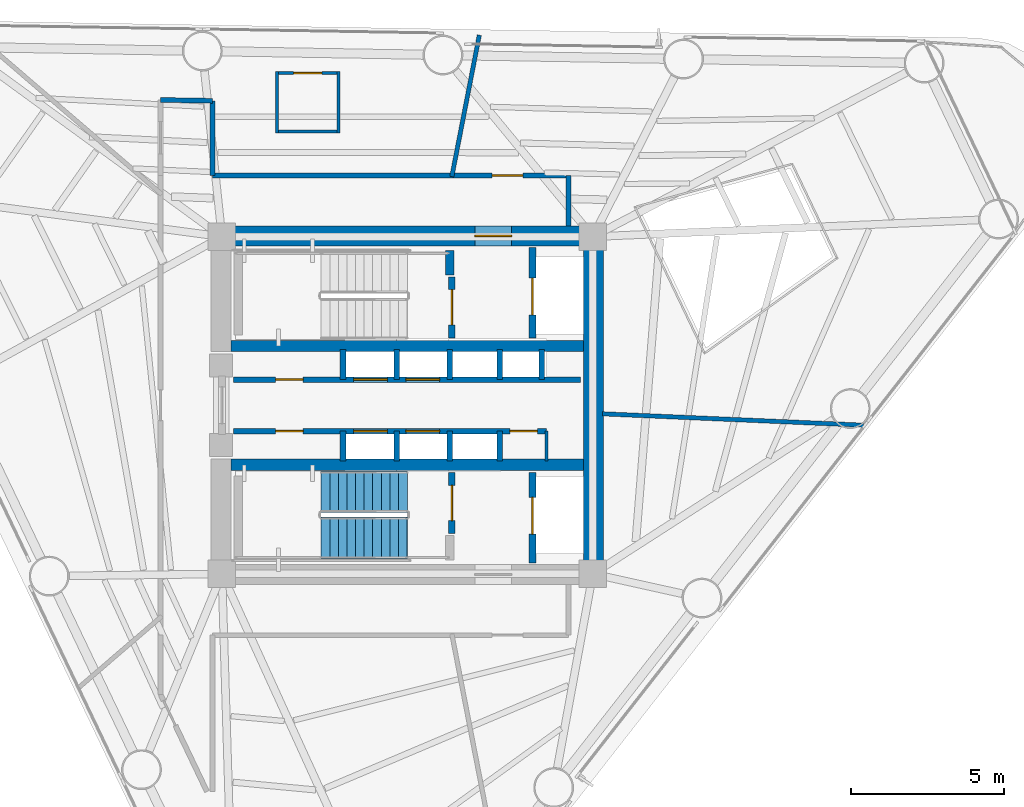
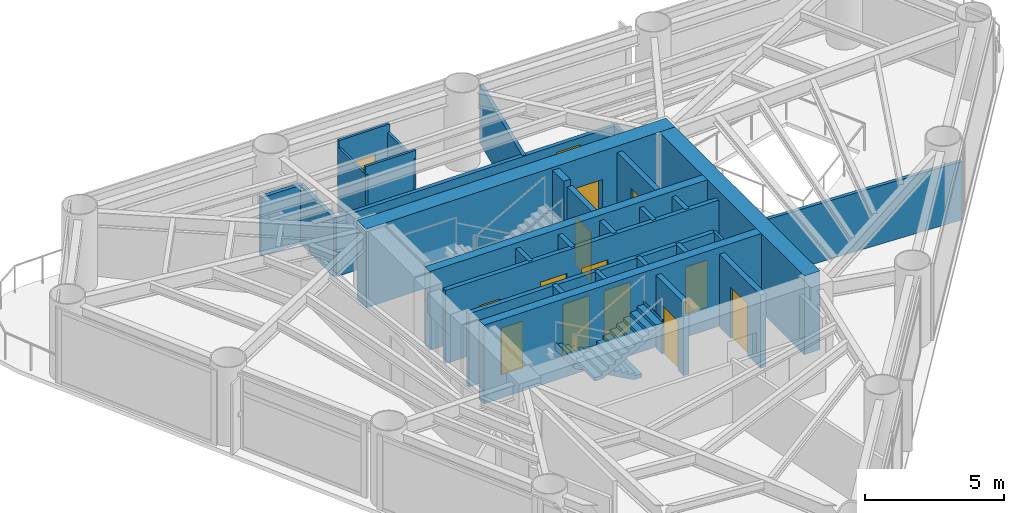
# One storey, part 7 of 11: 31 walls, 14 doors, 2 stair flights, 14 openings, 1 element without a shape of its own.
"""IFC4 building model written with IfcOpenShell, lengths in metres."""

from ifc_helpers import new_model, si_unit, direction, frame, frame_2d, origin, place, context, subcontext, project, spatial, polyline, rectangle, outline, extrude, material, layer, layer_set, type_object, element, fill, aggregate, save


model = new_model("IFC4")

# Units and contexts
model_context = context("Model", 3, precision=1e-05, world=origin(), true_north=direction((0.0, 1.0)))
body_context = subcontext(model_context, "Body", "Model", "MODEL_VIEW")
ifc_project = project(units=[si_unit("LENGTHUNIT", "METRE"), si_unit("AREAUNIT", "SQUARE_METRE"), si_unit("VOLUMEUNIT", "CUBIC_METRE"), si_unit("PLANEANGLEUNIT", "RADIAN"), si_unit("MASSUNIT", "GRAM", prefix="KILO")], contexts=[model_context])

# Site, building, storey
site_placement = place(None, origin())
site = spatial("IfcSite", under=ifc_project, at=site_placement, CompositionType="ELEMENT")
building_placement = place(site_placement, origin())
building = spatial("IfcBuilding", under=site, at=building_placement, Name="Yunling Apex Tower", CompositionType="ELEMENT")
storey_placement = place(building_placement, frame((0.0, 0.0, 150.199951171875)))
storey = spatial("IfcBuildingStorey", under=building, at=storey_placement, Name="L37", CompositionType="ELEMENT", Elevation=150.199951171875)

# Wall, opening, door
ifc_material_1 = material(Name="Concrete C50", Category="concrete")
ifc_layer_1 = layer(ifc_material_1, 0.64990234375)
ifc_layer_set_1 = layer_set([ifc_layer_1], Name="Concrete C50")
wall_type_1 = type_object("IfcWallType", Name="WL-COR-2", PredefinedType="SHEAR", material=ifc_layer_set_1)
wall_1_placement = place(storey_placement, frame((-6.39990234375, 5.52490234375, 0.0), z_axis=(0.0, 0.0, 1.0), x_axis=(1.0, 0.0, 0.0)))
wall_1 = element("IfcWall", 1, at=wall_1_placement, inside=storey, type_object=wall_type_1, Name="L37 North Core Shear Wall", PredefinedType="SHEAR", context=body_context, shape_type="SweptSolid", body=[
    extrude(rectangle(XDim=12.7998046875, YDim=0.64990234375, at=frame_2d((6.39990234375, 0.0))), origin(), (0.0, 0.0, 1.0), 3.449951171875),
])
opening_1_placement = place(wall_1_placement, frame((8.60009765625, 0.0, 0.0)))
opening_1 = element("IfcOpeningElement", 2, at=opening_1_placement, cuts=wall_1, Name="Opening DR-FFL-1", PredefinedType="OPENING", context=body_context, shape_type="SweptSolid", body=[
    extrude(rectangle(XDim=1.199951171875, YDim=2.199951171875, at=frame_2d((0.60009765625, 1.10009765625))), frame((0.0, 0.3349609375, 0.0), z_axis=(0.0, -1.0, 0.0), x_axis=(1.0, 0.0, 0.0)), (0.0, 0.0, 1.0), 0.669921875),
])
ifc_material_2 = material(Name="Steel Q355B", Category="steel")
door_type_1 = type_object("IfcDoorType", Name="DR-FFL-1", OperationType="NOTDEFINED", PredefinedType="DOOR", material=ifc_material_2)
door_1_placement = place(opening_1_placement, origin())
door_1 = element("IfcDoor", 3, at=door_1_placement, inside=storey, type_object=door_type_1, Name="L37 North Firefighting Lobby Door", OperationType="SINGLE_SWING_LEFT", OverallHeight=2.199951171875, OverallWidth=1.199951171875, PredefinedType="DOOR", context=body_context, shape_type="SweptSolid", body=[
    extrude(rectangle(XDim=1.199951171875, YDim=2.199951171875, at=frame_2d((0.60009765625, 1.10009765625))), frame((0.0, 0.02490234375, 0.0), z_axis=(0.0, -1.0, 0.0), x_axis=(1.0, 0.0, 0.0)), (0.0, 0.0, 1.0), 0.050048828125),
])
fill(opening_1, door_1)

# Walls
wall_2_placement = place(storey_placement, frame((6.074951171875, -5.199951171875, 0.0), z_axis=(0.0, 0.0, 1.0), x_axis=(0.0, 1.0, 0.0)))
element("IfcWall", 4, at=wall_2_placement, inside=storey, type_object=wall_type_1, Name="L37 East Core Shear Wall", PredefinedType="SHEAR", context=body_context, shape_type="SweptSolid", body=[
    extrude(rectangle(XDim=10.39990234375, YDim=0.64990234375, at=frame_2d((5.199951171875, 0.0))), origin(), (0.0, 0.0, 1.0), 3.449951171875),
])
ifc_material_3 = material(Name="Concrete C40", Category="concrete")
ifc_layer_2 = layer(ifc_material_3, 0.360107421875)
ifc_layer_set_2 = layer_set([ifc_layer_2], Name="Concrete C40")
wall_type_2 = type_object("IfcWallType", Name="WL-COR-4", PredefinedType="SHEAR", material=ifc_layer_set_2)
for number, where, z_axis, x_axis, name in (
    (5, (-5.75, 1.93994140625, 0.0), (0.0, 0.0, 1.0), (1.0, 0.0, 0.0), "L37 North Internal Core Shear Wall"),
    (6, (-5.75, -1.93994140625, 0.0), (0.0, 0.0, 1.0), (1.0, 0.0, 0.0), "L37 South Internal Core Shear Wall"),
):
    element("IfcWall", number, at=place(storey_placement, frame(where, z_axis=z_axis, x_axis=x_axis)), inside=storey, type_object=wall_type_2, Name=name, PredefinedType="SHEAR", context=body_context, shape_type="SweptSolid", body=[
        extrude(rectangle(XDim=11.5, YDim=0.360107421875, at=frame_2d((5.75, 0.0))), origin(), (0.0, 0.0, 1.0), 3.449951171875),
    ])
ifc_layer_3 = layer(ifc_material_3, 0.280029296875)
ifc_layer_set_3 = layer_set([ifc_layer_3], Name="Concrete C40")
wall_type_3 = type_object("IfcWallType", Name="WL-COR-8", PredefinedType="SHEAR", material=ifc_layer_set_3)
wall_3_placement = place(storey_placement, frame((1.3798828125, 4.25, 0.0), z_axis=(0.0, 0.0, 1.0), x_axis=(0.0, 1.0, 0.0)))
element("IfcWall", 7, at=wall_3_placement, inside=storey, type_object=wall_type_3, Name="L37 ST-1 East Landing Bearing Pier", PredefinedType="SHEAR", context=body_context, shape_type="SweptSolid", body=[
    extrude(rectangle(XDim=0.800048828125, YDim=0.280029296875, at=frame_2d((0.39990234375, 0.0))), origin(), (0.0, 0.0, 1.0), 3.449951171875),
])
ifc_material_4 = material(Name="Gypsum board acoustic partition")
ifc_layer_4 = layer(ifc_material_4, 0.159912109375)
ifc_layer_set_4 = layer_set([ifc_layer_4], Name="Gypsum board acoustic partition")
wall_type_4 = type_object("IfcWallType", Name="WL-PRT-1", PredefinedType="PARTITIONING", material=ifc_layer_set_4)
wall_4_placement = place(storey_placement, frame((-8.050048828125, 9.9609375, 0.0), z_axis=(0.0, 0.0, 1.0), x_axis=(0.999859611566, -0.016755809729, 0.0)))
element("IfcWall", 8, at=wall_4_placement, inside=storey, type_object=wall_type_4, Name="WL-CORR-L37-05", PredefinedType="PARTITIONING", context=body_context, shape_type="SweptSolid", body=[
    extrude(rectangle(XDim=1.690185546875, YDim=0.159912109375, at=frame_2d((0.84521484375, 0.0))), origin(), (0.0, 0.0, 1.0), 2.56494140625),
])
wall_5_placement = place(storey_placement, frame((-6.360107421875, 9.9326171875, 0.0), z_axis=(0.0, 0.0, 1.0), x_axis=(0.0, -1.0, 0.0)))
element("IfcWall", 9, at=wall_5_placement, inside=storey, type_object=wall_type_4, Name="WL-CORR-L37-06", PredefinedType="PARTITIONING", context=body_context, shape_type="SweptSolid", body=[
    extrude(rectangle(XDim=2.4326171875, YDim=0.159912109375, at=frame_2d((1.21630859375, 0.0))), origin(), (0.0, 0.0, 1.0), 2.56494140625),
])

# Wall, opening, door
wall_6_placement = place(storey_placement, frame((-6.360107421875, 7.5, 0.0), z_axis=(0.0, 0.0, 1.0), x_axis=(1.0, 0.0, 0.0)))
wall_6 = element("IfcWall", 10, at=wall_6_placement, inside=storey, type_object=wall_type_4, Name="WL-CORR-L37-07", PredefinedType="PARTITIONING", context=body_context, shape_type="SweptSolid", body=[
    extrude(rectangle(XDim=11.610107421875, YDim=0.159912109375, at=frame_2d((5.80517578125, 0.0))), origin(), (0.0, 0.0, 1.0), 2.56494140625),
])
opening_2_placement = place(wall_6_placement, frame((9.12841796875, 0.0, 0.0)))
opening_2 = element("IfcOpeningElement", 11, at=opening_2_placement, cuts=wall_6, Name="Opening DR-OFF-1", PredefinedType="OPENING", context=body_context, shape_type="SweptSolid", body=[
    extrude(rectangle(XDim=1.0, YDim=2.25, at=frame_2d((0.5, 1.125))), frame((0.0, 0.08984375, 0.0), z_axis=(0.0, -1.0, 0.0), x_axis=(1.0, 0.0, 0.0)), (0.0, 0.0, 1.0), 0.179931640625),
])
ifc_material_5 = material(Name="Bronze anodised aluminium", Category="aluminium")
door_type_2 = type_object("IfcDoorType", Name="DR-OFF-1", OperationType="NOTDEFINED", PredefinedType="DOOR", material=ifc_material_5)
door_2_placement = place(opening_2_placement, origin())
door_2 = element("IfcDoor", 12, at=door_2_placement, inside=storey, type_object=door_type_2, Name="L37 Club Lounge Door", OperationType="SINGLE_SWING_RIGHT", OverallHeight=2.25, OverallWidth=1.0, PredefinedType="DOOR", context=body_context, shape_type="SweptSolid", body=[
    extrude(rectangle(XDim=1.0, YDim=2.25, at=frame_2d((0.5, 1.125))), frame((0.0, 0.02490234375, 0.0), z_axis=(0.0, -1.0, 0.0), x_axis=(1.0, 0.0, 0.0)), (0.0, 0.0, 1.0), 0.050048828125),
])
fill(opening_2, door_2)

# Walls
wall_7_placement = place(storey_placement, frame((5.25, 7.5, 0.0), z_axis=(0.0, 0.0, 1.0), x_axis=(0.0, -1.0, 0.0)))
element("IfcWall", 13, at=wall_7_placement, inside=storey, type_object=wall_type_4, Name="WL-CORR-L37-08", PredefinedType="PARTITIONING", context=body_context, shape_type="SweptSolid", body=[
    extrude(rectangle(XDim=1.64990234375, YDim=0.159912109375, at=frame_2d((0.824951171875, 0.0))), origin(), (0.0, 0.0, 1.0), 2.56494140625),
])
ifc_layer_5 = layer(ifc_material_4, 0.139892578125)
ifc_layer_set_5 = layer_set([ifc_layer_5], Name="Gypsum board acoustic partition")
wall_type_5 = type_object("IfcWallType", Name="WL-PRT-2", PredefinedType="PARTITIONING", material=ifc_layer_set_5)
wall_8_placement = place(storey_placement, frame((6.360107421875, -0.277587890625, 0.0), z_axis=(0.0, 0.0, 1.0), x_axis=(0.999047707238, -0.043631166178, 0.0)))
element("IfcWall", 14, at=wall_8_placement, inside=storey, type_object=wall_type_5, Name="WL-RAD-L37-01", PredefinedType="PARTITIONING", context=body_context, shape_type="SweptSolid", body=[
    extrude(rectangle(XDim=8.52197265625, YDim=0.139892578125, at=frame_2d((4.260986328125, 0.0))), origin(), (0.0, 0.0, 1.0), 2.56494140625),
])
wall_9_placement = place(storey_placement, frame((1.4501953125, 7.4599609375, 0.0), z_axis=(0.0, 0.0, 1.0), x_axis=(0.190762676882, 0.981636185717, 0.0)))
element("IfcWall", 15, at=wall_9_placement, inside=storey, type_object=wall_type_5, Name="WL-RAD-L37-02", PredefinedType="PARTITIONING", context=body_context, shape_type="SweptSolid", body=[
    extrude(rectangle(XDim=4.703369140625, YDim=0.139892578125, at=frame_2d((2.3515625, 0.0))), origin(), (0.0, 0.0, 1.0), 2.56494140625),
])
ifc_layer_6 = layer(ifc_material_4, 0.10009765625)
ifc_layer_set_6 = layer_set([ifc_layer_6], Name="Gypsum board acoustic partition")
wall_type_6 = type_object("IfcWallType", Name="WL-PRT-4", PredefinedType="PARTITIONING", material=ifc_layer_set_6)
wall_10_placement = place(storey_placement, frame((4.5400390625, -1.820068359375, 0.0), z_axis=(0.0, 0.0, 1.0), x_axis=(0.0, 1.0, 0.0)))
element("IfcWall", 16, at=wall_10_placement, inside=storey, type_object=wall_type_6, Name="WL-KASE-E-L37", PredefinedType="PARTITIONING", context=body_context, shape_type="SweptSolid", body=[
    extrude(rectangle(XDim=0.97998046875, YDim=0.10009765625, at=frame_2d((0.489990234375, 0.0))), origin(), (0.0, 0.0, 1.0), 3.2099609375),
])

# Wall, opening, door
wall_11_placement = place(storey_placement, frame((-4.300048828125, 10.8359375, 0.0), z_axis=(0.0, 0.0, 1.0), x_axis=(1.0, 0.0, 0.0)))
wall_11 = element("IfcWall", 17, at=wall_11_placement, inside=storey, type_object=wall_type_6, Name="WL-ENS-L37-4N", PredefinedType="PARTITIONING", context=body_context, shape_type="SweptSolid", body=[
    extrude(rectangle(XDim=2.10009765625, YDim=0.10009765625, at=frame_2d((1.050048828125, 0.0))), origin(), (0.0, 0.0, 1.0), 3.2099609375),
])
opening_3_placement = place(wall_11_placement, frame((0.590087890625, 0.0, 0.0)))
opening_3 = element("IfcOpeningElement", 18, at=opening_3_placement, cuts=wall_11, Name="Opening DR-WC-1", PredefinedType="OPENING", context=body_context, shape_type="SweptSolid", body=[
    extrude(rectangle(XDim=0.919921875, YDim=2.10009765625, at=frame_2d((0.4599609375, 1.050048828125))), frame((0.0, 0.06005859375, 0.0), z_axis=(0.0, -1.0, 0.0), x_axis=(1.0, 0.0, 0.0)), (0.0, 0.0, 1.0), 0.1201171875),
])
ifc_material_6 = material(Name="Timber moisture-resistant leaf", Category="wood")
door_type_3 = type_object("IfcDoorType", Name="DR-WC-1", OperationType="NOTDEFINED", PredefinedType="DOOR", material=ifc_material_6)
door_3_placement = place(opening_3_placement, origin())
door_3 = element("IfcDoor", 19, at=door_3_placement, inside=storey, type_object=door_type_3, Name="L37 En-Suite Door", OperationType="SINGLE_SWING_RIGHT", OverallHeight=2.10009765625, OverallWidth=0.919921875, PredefinedType="DOOR", context=body_context, shape_type="SweptSolid", body=[
    extrude(rectangle(XDim=0.919921875, YDim=2.10009765625, at=frame_2d((0.4599609375, 1.050048828125))), frame((0.0, 0.02490234375, 0.0), z_axis=(0.0, -1.0, 0.0), x_axis=(1.0, 0.0, 0.0)), (0.0, 0.0, 1.0), 0.050048828125),
])
fill(opening_3, door_3)

# Walls
wall_12_placement = place(storey_placement, frame((-2.199951171875, 8.93603515625, 0.0), z_axis=(0.0, 0.0, 1.0), x_axis=(-1.0, 0.0, 0.0)))
element("IfcWall", 20, at=wall_12_placement, inside=storey, type_object=wall_type_6, Name="WL-ENS-L37-4S", PredefinedType="PARTITIONING", context=body_context, shape_type="SweptSolid", body=[
    extrude(rectangle(XDim=2.10009765625, YDim=0.10009765625, at=frame_2d((1.050048828125, 0.0))), origin(), (0.0, 0.0, 1.0), 3.2099609375),
])
for number, where, z_axis, x_axis, name in (
    (21, (-2.25, 10.885986328125, 0.0), (0.0, 0.0, 1.0), (0.0, -1.0, 0.0), "WL-ENS-L37-4E"),
    (22, (-4.25, 8.885986328125, 0.0), (0.0, 0.0, 1.0), (0.0, 1.0, 0.0), "WL-ENS-L37-4W"),
):
    element("IfcWall", number, at=place(storey_placement, frame(where, z_axis=z_axis, x_axis=x_axis)), inside=storey, type_object=wall_type_6, Name=name, PredefinedType="PARTITIONING", context=body_context, shape_type="SweptSolid", body=[
        extrude(rectangle(XDim=2.0, YDim=0.10009765625, at=frame_2d((1.0, 0.0))), origin(), (0.0, 0.0, 1.0), 2.864990234375),
    ])

# Wall, opening, door
ifc_material_7 = material(Name="Autoclaved aerated concrete masonry", Category="masonry")
ifc_layer_7 = layer(ifc_material_7, 0.219970703125)
ifc_layer_set_7 = layer_set([ifc_layer_7], Name="Autoclaved aerated concrete masonry")
wall_type_7 = type_object("IfcWallType", Name="WL-SHF-1", PredefinedType="PLUMBINGWALL", material=ifc_layer_set_7)
wall_13_placement = place(storey_placement, frame((1.449951171875, 2.199951171875, 0.0), z_axis=(0.0, 0.0, 1.0), x_axis=(0.0, 1.0, 0.0)))
wall_13 = element("IfcWall", 23, at=wall_13_placement, inside=storey, type_object=wall_type_7, Name="WL-ST1-E-L37", PredefinedType="PLUMBINGWALL", context=body_context, shape_type="SweptSolid", body=[
    extrude(rectangle(XDim=1.97998046875, YDim=0.219970703125, at=frame_2d((0.989990234375, 0.0))), origin(), (0.0, 0.0, 1.0), 3.2099609375),
])
opening_4_placement = place(wall_13_placement, frame((0.419921875, 0.0, 0.0)))
opening_4 = element("IfcOpeningElement", 24, at=opening_4_placement, cuts=wall_13, Name="Opening DR-ST-1", PredefinedType="OPENING", context=body_context, shape_type="SweptSolid", body=[
    extrude(rectangle(XDim=1.14990234375, YDim=2.14990234375, at=frame_2d((0.574951171875, 1.074951171875))), frame((0.0, 0.1201171875, 0.0), z_axis=(0.0, -1.0, 0.0), x_axis=(1.0, 0.0, 0.0)), (0.0, 0.0, 1.0), 0.239990234375),
])
door_type_4 = type_object("IfcDoorType", Name="DR-ST-1", OperationType="NOTDEFINED", PredefinedType="DOOR", material=ifc_material_2)
door_4_placement = place(opening_4_placement, origin())
door_4 = element("IfcDoor", 25, at=door_4_placement, inside=storey, type_object=door_type_4, Name="L37 Stair ST-1 Fire Door", OperationType="SINGLE_SWING_LEFT", OverallHeight=2.14990234375, OverallWidth=1.14990234375, PredefinedType="DOOR", context=body_context, shape_type="SweptSolid", body=[
    extrude(rectangle(XDim=1.14990234375, YDim=2.14990234375, at=frame_2d((0.574951171875, 1.074951171875))), frame((0.0, 0.02490234375, 0.0), z_axis=(0.0, -1.0, 0.0), x_axis=(1.0, 0.0, 0.0)), (0.0, 0.0, 1.0), 0.050048828125),
])
fill(opening_4, door_4)

wall_14_placement = place(storey_placement, frame((4.080078125, 2.199951171875, 0.0), z_axis=(0.0, 0.0, 1.0), x_axis=(0.0, 1.0, 0.0)))
wall_14 = element("IfcWall", 26, at=wall_14_placement, inside=storey, type_object=wall_type_7, Name="WL-FFL1-W-L37", PredefinedType="PLUMBINGWALL", context=body_context, shape_type="SweptSolid", body=[
    extrude(rectangle(XDim=2.949951171875, YDim=0.219970703125, at=frame_2d((1.47509765625, 0.0))), origin(), (0.0, 0.0, 1.0), 3.2099609375),
])
opening_5_placement = place(wall_14_placement, frame((0.75, 0.0, 0.0)))
opening_5 = element("IfcOpeningElement", 27, at=opening_5_placement, cuts=wall_14, Name="Opening LD-FFL-1", PredefinedType="OPENING", context=body_context, shape_type="SweptSolid", body=[
    extrude(rectangle(XDim=1.199951171875, YDim=2.25, at=frame_2d((0.60009765625, 1.125))), frame((0.0, 0.1201171875, 0.0), z_axis=(0.0, -1.0, 0.0), x_axis=(1.0, 0.0, 0.0)), (0.0, 0.0, 1.0), 0.239990234375),
])
door_type_5 = type_object("IfcDoorType", Name="LD-FFL-1", OperationType="DOUBLE_DOOR_SLIDING", PredefinedType="DOOR", material=ifc_material_2)
door_5_placement = place(opening_5_placement, origin())
door_5 = element("IfcDoor", 28, at=door_5_placement, inside=storey, type_object=door_type_5, Name="L37 Lift FFL-1 Landing Door", OperationType="DOUBLE_DOOR_SLIDING", OverallHeight=2.25, OverallWidth=1.199951171875, PredefinedType="DOOR", context=body_context, shape_type="SweptSolid", body=[
    extrude(rectangle(XDim=1.199951171875, YDim=2.25, at=frame_2d((0.60009765625, 1.125))), frame((0.0, 0.02490234375, 0.0), z_axis=(0.0, -1.0, 0.0), x_axis=(1.0, 0.0, 0.0)), (0.0, 0.0, 1.0), 0.050048828125),
])
fill(opening_5, door_5)

wall_15_placement = place(storey_placement, frame((1.449951171875, -4.179931640625, 0.0), z_axis=(0.0, 0.0, 1.0), x_axis=(0.0, 1.0, 0.0)))
wall_15 = element("IfcWall", 29, at=wall_15_placement, inside=storey, type_object=wall_type_7, Name="WL-ST2-E-L37", PredefinedType="PLUMBINGWALL", context=body_context, shape_type="SweptSolid", body=[
    extrude(rectangle(XDim=1.97998046875, YDim=0.219970703125, at=frame_2d((0.989990234375, 0.0))), origin(), (0.0, 0.0, 1.0), 3.2099609375),
])
opening_6_placement = place(wall_15_placement, frame((0.419921875, 0.0, 0.0)))
opening_6 = element("IfcOpeningElement", 30, at=opening_6_placement, cuts=wall_15, Name="Opening DR-ST-1", PredefinedType="OPENING", context=body_context, shape_type="SweptSolid", body=[
    extrude(rectangle(XDim=1.14990234375, YDim=2.14990234375, at=frame_2d((0.574951171875, 1.074951171875))), frame((0.0, 0.1201171875, 0.0), z_axis=(0.0, -1.0, 0.0), x_axis=(1.0, 0.0, 0.0)), (0.0, 0.0, 1.0), 0.239990234375),
])
door_6_placement = place(opening_6_placement, origin())
door_6 = element("IfcDoor", 31, at=door_6_placement, inside=storey, type_object=door_type_4, Name="L37 Stair ST-2 Fire Door", OperationType="SINGLE_SWING_RIGHT", OverallHeight=2.14990234375, OverallWidth=1.14990234375, PredefinedType="DOOR", context=body_context, shape_type="SweptSolid", body=[
    extrude(rectangle(XDim=1.14990234375, YDim=2.14990234375, at=frame_2d((0.574951171875, 1.074951171875))), frame((0.0, 0.02490234375, 0.0), z_axis=(0.0, -1.0, 0.0), x_axis=(1.0, 0.0, 0.0)), (0.0, 0.0, 1.0), 0.050048828125),
])
fill(opening_6, door_6)

wall_16_placement = place(storey_placement, frame((4.080078125, -5.14990234375, 0.0), z_axis=(0.0, 0.0, 1.0), x_axis=(0.0, 1.0, 0.0)))
wall_16 = element("IfcWall", 32, at=wall_16_placement, inside=storey, type_object=wall_type_7, Name="WL-FFL2-W-L37", PredefinedType="PLUMBINGWALL", context=body_context, shape_type="SweptSolid", body=[
    extrude(rectangle(XDim=2.949951171875, YDim=0.219970703125, at=frame_2d((1.47509765625, 0.0))), origin(), (0.0, 0.0, 1.0), 3.2099609375),
])
opening_7_placement = place(wall_16_placement, frame((0.949951171875, 0.0, 0.0)))
opening_7 = element("IfcOpeningElement", 33, at=opening_7_placement, cuts=wall_16, Name="Opening LD-FFL-1", PredefinedType="OPENING", context=body_context, shape_type="SweptSolid", body=[
    extrude(rectangle(XDim=1.199951171875, YDim=2.25, at=frame_2d((0.60009765625, 1.125))), frame((0.0, 0.1201171875, 0.0), z_axis=(0.0, -1.0, 0.0), x_axis=(1.0, 0.0, 0.0)), (0.0, 0.0, 1.0), 0.239990234375),
])
door_7_placement = place(opening_7_placement, origin())
door_7 = element("IfcDoor", 34, at=door_7_placement, inside=storey, type_object=door_type_5, Name="L37 Lift FFL-2 Landing Door", OperationType="DOUBLE_DOOR_SLIDING", OverallHeight=2.25, OverallWidth=1.199951171875, PredefinedType="DOOR", context=body_context, shape_type="SweptSolid", body=[
    extrude(rectangle(XDim=1.199951171875, YDim=2.25, at=frame_2d((0.60009765625, 1.125))), frame((0.0, 0.02490234375, 0.0), z_axis=(0.0, -1.0, 0.0), x_axis=(1.0, 0.0, 0.0)), (0.0, 0.0, 1.0), 0.050048828125),
])
fill(opening_7, door_7)

# Walls
ifc_layer_8 = layer(ifc_material_7, 0.179931640625)
ifc_layer_set_8 = layer_set([ifc_layer_8], Name="Autoclaved aerated concrete masonry")
wall_type_8 = type_object("IfcWallType", Name="WL-SHF-2", PredefinedType="PLUMBINGWALL", material=ifc_layer_set_8)
for number, where, z_axis, x_axis, name in (
    (35, (-2.10009765625, 0.840087890625, 0.0), (0.0, 0.0, 1.0), (0.0, 1.0, 0.0), "WL-BNK-LM-N-L37"),
    (36, (-2.10009765625, -1.820068359375, 0.0), (0.0, 0.0, 1.0), (0.0, 1.0, 0.0), "WL-BNK-LM-S-L37"),
    (37, (-0.35009765625, 0.840087890625, 0.0), (0.0, 0.0, 1.0), (0.0, 1.0, 0.0), "WL-DIV-M12-L37"),
    (38, (-0.35009765625, -1.820068359375, 0.0), (0.0, 0.0, 1.0), (0.0, 1.0, 0.0), "WL-DIV-M34-L37"),
    (39, (1.3798828125, 0.840087890625, 0.0), (0.0, 0.0, 1.0), (0.0, 1.0, 0.0), "WL-BNK-MH-N-L37"),
    (40, (1.3798828125, -1.820068359375, 0.0), (0.0, 0.0, 1.0), (0.0, 1.0, 0.0), "WL-BNK-MH-S-L37"),
    (41, (3.02001953125, 0.840087890625, 0.0), (0.0, 0.0, 1.0), (0.0, 1.0, 0.0), "WL-DIV-H13-L37"),
    (42, (4.3798828125, 0.840087890625, 0.0), (0.0, 0.0, 1.0), (0.0, 1.0, 0.0), "WL-END-H3E-L37"),
    (43, (3.02001953125, -1.820068359375, 0.0), (0.0, 0.0, 1.0), (0.0, 1.0, 0.0), "WL-END-H2E-L37"),
):
    element("IfcWall", number, at=place(storey_placement, frame(where, z_axis=z_axis, x_axis=x_axis)), inside=storey, type_object=wall_type_8, Name=name, PredefinedType="PLUMBINGWALL", context=body_context, shape_type="SweptSolid", body=[
        extrude(rectangle(XDim=0.97998046875, YDim=0.179931640625, at=frame_2d((0.489990234375, 0.0))), origin(), (0.0, 0.0, 1.0), 3.2099609375),
    ])

# Wall, openings, doors
wall_17_placement = place(storey_placement, frame((-5.679931640625, 0.840087890625, 0.0), z_axis=(0.0, 0.0, 1.0), x_axis=(1.0, 0.0, 0.0)))
wall_17 = element("IfcWall", 44, at=wall_17_placement, inside=storey, type_object=wall_type_8, Name="WL-LOB-N-L37", PredefinedType="PLUMBINGWALL", context=body_context, shape_type="SweptSolid", body=[
    extrude(rectangle(XDim=11.329833984375, YDim=0.179931640625, at=frame_2d((5.6650390625, 0.0))), origin(), (0.0, 0.0, 1.0), 3.2099609375),
])
opening_8_placement = place(wall_17_placement, frame((1.3798828125, 0.0, 0.0)))
opening_8 = element("IfcOpeningElement", 45, at=opening_8_placement, cuts=wall_17, Name="Opening DR-SHF-1", PredefinedType="OPENING", context=body_context, shape_type="SweptSolid", body=[
    extrude(rectangle(XDim=0.89990234375, YDim=2.050048828125, at=frame_2d((0.449951171875, 1.02490234375))), frame((0.0, 0.10009765625, 0.0), z_axis=(0.0, -1.0, 0.0), x_axis=(1.0, 0.0, 0.0)), (0.0, 0.0, 1.0), 0.199951171875),
])
opening_9_placement = place(wall_17_placement, frame((3.929931640625, 0.0, 0.0)))
opening_9 = element("IfcOpeningElement", 46, at=opening_9_placement, cuts=wall_17, Name="Opening LD-PAS-1", PredefinedType="OPENING", context=body_context, shape_type="SweptSolid", body=[
    extrude(rectangle(XDim=1.10009765625, YDim=2.199951171875, at=frame_2d((0.550048828125, 1.10009765625))), frame((0.0, 0.10009765625, 0.0), z_axis=(0.0, -1.0, 0.0), x_axis=(1.0, 0.0, 0.0)), (0.0, 0.0, 1.0), 0.199951171875),
])
opening_10_placement = place(wall_17_placement, frame((5.6298828125, 0.0, 0.0)))
opening_10 = element("IfcOpeningElement", 47, at=opening_10_placement, cuts=wall_17, Name="Opening LD-PAS-1", PredefinedType="OPENING", context=body_context, shape_type="SweptSolid", body=[
    extrude(rectangle(XDim=1.10009765625, YDim=2.199951171875, at=frame_2d((0.550048828125, 1.10009765625))), frame((0.0, 0.10009765625, 0.0), z_axis=(0.0, -1.0, 0.0), x_axis=(1.0, 0.0, 0.0)), (0.0, 0.0, 1.0), 0.199951171875),
])
door_type_6 = type_object("IfcDoorType", Name="DR-SHF-1", OperationType="NOTDEFINED", PredefinedType="DOOR", material=ifc_material_2)
door_8_placement = place(opening_8_placement, origin())
door_8 = element("IfcDoor", 48, at=door_8_placement, inside=storey, type_object=door_type_6, Name="L37 Parcel Store Door", OperationType="SINGLE_SWING_LEFT", OverallHeight=2.050048828125, OverallWidth=0.89990234375, PredefinedType="DOOR", context=body_context, shape_type="SweptSolid", body=[
    extrude(rectangle(XDim=0.89990234375, YDim=2.050048828125, at=frame_2d((0.449951171875, 1.02490234375))), frame((0.0, 0.02490234375, 0.0), z_axis=(0.0, -1.0, 0.0), x_axis=(1.0, 0.0, 0.0)), (0.0, 0.0, 1.0), 0.050048828125),
])
fill(opening_8, door_8)
ifc_material_8 = material(Name="Silver anodised aluminium", Category="aluminium")
door_type_7 = type_object("IfcDoorType", Name="LD-PAS-1", OperationType="DOUBLE_DOOR_SLIDING", PredefinedType="DOOR", material=ifc_material_8)
door_9_placement = place(opening_9_placement, origin())
door_9 = element("IfcDoor", 49, at=door_9_placement, inside=storey, type_object=door_type_7, Name="L37 Lift PL-M1 Landing Door", OperationType="DOUBLE_DOOR_SLIDING", OverallHeight=2.199951171875, OverallWidth=1.10009765625, PredefinedType="DOOR", context=body_context, shape_type="SweptSolid", body=[
    extrude(rectangle(XDim=1.10009765625, YDim=2.199951171875, at=frame_2d((0.550048828125, 1.10009765625))), frame((0.0, 0.02490234375, 0.0), z_axis=(0.0, -1.0, 0.0), x_axis=(1.0, 0.0, 0.0)), (0.0, 0.0, 1.0), 0.050048828125),
])
fill(opening_9, door_9)
door_10_placement = place(opening_10_placement, origin())
door_10 = element("IfcDoor", 50, at=door_10_placement, inside=storey, type_object=door_type_7, Name="L37 Lift PL-M2 Landing Door", OperationType="DOUBLE_DOOR_SLIDING", OverallHeight=2.199951171875, OverallWidth=1.10009765625, PredefinedType="DOOR", context=body_context, shape_type="SweptSolid", body=[
    extrude(rectangle(XDim=1.10009765625, YDim=2.199951171875, at=frame_2d((0.550048828125, 1.10009765625))), frame((0.0, 0.02490234375, 0.0), z_axis=(0.0, -1.0, 0.0), x_axis=(1.0, 0.0, 0.0)), (0.0, 0.0, 1.0), 0.050048828125),
])
fill(opening_10, door_10)

wall_18_placement = place(storey_placement, frame((-5.679931640625, -0.840087890625, 0.0), z_axis=(0.0, 0.0, 1.0), x_axis=(1.0, 0.0, 0.0)))
wall_18 = element("IfcWall", 51, at=wall_18_placement, inside=storey, type_object=wall_type_8, Name="WL-LOB-S-L37", PredefinedType="PLUMBINGWALL", context=body_context, shape_type="SweptSolid", body=[
    extrude(rectangle(XDim=10.219970703125, YDim=0.179931640625, at=frame_2d((5.10986328125, 0.0))), origin(), (0.0, 0.0, 1.0), 3.2099609375),
])
opening_11_placement = place(wall_18_placement, frame((1.3798828125, 0.0, 0.0)))
opening_11 = element("IfcOpeningElement", 52, at=opening_11_placement, cuts=wall_18, Name="Opening DR-SHF-1", PredefinedType="OPENING", context=body_context, shape_type="SweptSolid", body=[
    extrude(rectangle(XDim=0.89990234375, YDim=2.050048828125, at=frame_2d((0.449951171875, 1.02490234375))), frame((0.0, 0.10009765625, 0.0), z_axis=(0.0, -1.0, 0.0), x_axis=(1.0, 0.0, 0.0)), (0.0, 0.0, 1.0), 0.199951171875),
])
opening_12_placement = place(wall_18_placement, frame((3.929931640625, 0.0, 0.0)))
opening_12 = element("IfcOpeningElement", 53, at=opening_12_placement, cuts=wall_18, Name="Opening LD-PAS-1", PredefinedType="OPENING", context=body_context, shape_type="SweptSolid", body=[
    extrude(rectangle(XDim=1.10009765625, YDim=2.199951171875, at=frame_2d((0.550048828125, 1.10009765625))), frame((0.0, 0.10009765625, 0.0), z_axis=(0.0, -1.0, 0.0), x_axis=(1.0, 0.0, 0.0)), (0.0, 0.0, 1.0), 0.199951171875),
])
opening_13_placement = place(wall_18_placement, frame((5.6298828125, 0.0, 0.0)))
opening_13 = element("IfcOpeningElement", 54, at=opening_13_placement, cuts=wall_18, Name="Opening LD-PAS-1", PredefinedType="OPENING", context=body_context, shape_type="SweptSolid", body=[
    extrude(rectangle(XDim=1.10009765625, YDim=2.199951171875, at=frame_2d((0.550048828125, 1.10009765625))), frame((0.0, 0.10009765625, 0.0), z_axis=(0.0, -1.0, 0.0), x_axis=(1.0, 0.0, 0.0)), (0.0, 0.0, 1.0), 0.199951171875),
])
opening_14_placement = place(wall_18_placement, frame((9.02001953125, 0.0, 0.0)))
opening_14 = element("IfcOpeningElement", 55, at=opening_14_placement, cuts=wall_18, Name="Opening DR-SHF-1", PredefinedType="OPENING", context=body_context, shape_type="SweptSolid", body=[
    extrude(rectangle(XDim=0.89990234375, YDim=2.050048828125, at=frame_2d((0.449951171875, 1.02490234375))), frame((0.0, 0.10009765625, 0.0), z_axis=(0.0, -1.0, 0.0), x_axis=(1.0, 0.0, 0.0)), (0.0, 0.0, 1.0), 0.199951171875),
])
door_11_placement = place(opening_11_placement, origin())
door_11 = element("IfcDoor", 56, at=door_11_placement, inside=storey, type_object=door_type_6, Name="L37 Telecoms Room Door", OperationType="SINGLE_SWING_RIGHT", OverallHeight=2.050048828125, OverallWidth=0.89990234375, PredefinedType="DOOR", context=body_context, shape_type="SweptSolid", body=[
    extrude(rectangle(XDim=0.89990234375, YDim=2.050048828125, at=frame_2d((0.449951171875, 1.02490234375))), frame((0.0, 0.02490234375, 0.0), z_axis=(0.0, -1.0, 0.0), x_axis=(1.0, 0.0, 0.0)), (0.0, 0.0, 1.0), 0.050048828125),
])
fill(opening_11, door_11)
door_12_placement = place(opening_14_placement, origin())
door_12 = element("IfcDoor", 57, at=door_12_placement, inside=storey, type_object=door_type_6, Name="L37 Core Electrical Room Door", OperationType="SINGLE_SWING_LEFT", OverallHeight=2.050048828125, OverallWidth=0.89990234375, PredefinedType="DOOR", context=body_context, shape_type="SweptSolid", body=[
    extrude(rectangle(XDim=0.89990234375, YDim=2.050048828125, at=frame_2d((0.449951171875, 1.02490234375))), frame((0.0, 0.02490234375, 0.0), z_axis=(0.0, -1.0, 0.0), x_axis=(1.0, 0.0, 0.0)), (0.0, 0.0, 1.0), 0.050048828125),
])
fill(opening_14, door_12)
door_13_placement = place(opening_12_placement, origin())
door_13 = element("IfcDoor", 58, at=door_13_placement, inside=storey, type_object=door_type_7, Name="L37 Lift PL-M3 Landing Door", OperationType="DOUBLE_DOOR_SLIDING", OverallHeight=2.199951171875, OverallWidth=1.10009765625, PredefinedType="DOOR", context=body_context, shape_type="SweptSolid", body=[
    extrude(rectangle(XDim=1.10009765625, YDim=2.199951171875, at=frame_2d((0.550048828125, 1.10009765625))), frame((0.0, 0.02490234375, 0.0), z_axis=(0.0, -1.0, 0.0), x_axis=(1.0, 0.0, 0.0)), (0.0, 0.0, 1.0), 0.050048828125),
])
fill(opening_12, door_13)
door_14_placement = place(opening_13_placement, origin())
door_14 = element("IfcDoor", 59, at=door_14_placement, inside=storey, type_object=door_type_7, Name="L37 Lift PL-M4 Landing Door", OperationType="DOUBLE_DOOR_SLIDING", OverallHeight=2.199951171875, OverallWidth=1.10009765625, PredefinedType="DOOR", context=body_context, shape_type="SweptSolid", body=[
    extrude(rectangle(XDim=1.10009765625, YDim=2.199951171875, at=frame_2d((0.550048828125, 1.10009765625))), frame((0.0, 0.02490234375, 0.0), z_axis=(0.0, -1.0, 0.0), x_axis=(1.0, 0.0, 0.0)), (0.0, 0.0, 1.0), 0.050048828125),
])
fill(opening_13, door_14)

# Stair, stair flights
stair_type = type_object("IfcStairType", Name="ST-TWR-2", PredefinedType="HALF_TURN_STAIR", material=ifc_material_3)
stair_placement = place(storey_placement, origin())
stair = element("IfcStair", 60, at=stair_placement, inside=storey, type_object=stair_type, Name="L37 South Core Smokeproof Exit Stair ST-2", PredefinedType="HALF_TURN_STAIR")
stair_flight_type = type_object("IfcStairFlightType", Name="SFL-TWR-2", PredefinedType="STRAIGHT", material=ifc_material_3)
stair_flight_1_placement = place(storey_placement, frame((-0.010009765625, -2.820068359375, 0.0), z_axis=(0.0, 0.0, 1.0), x_axis=(-1.0, 0.0, 0.0)))
stair_flight_1 = element("IfcStairFlight", 61, at=stair_flight_1_placement, type_object=stair_flight_type, Name="ST-2 flight 1", NumberOfRisers=11, NumberOfTreads=10, PredefinedType="STRAIGHT", RiserHeight=0.156818182, TreadLength=0.28, context=body_context, shape_type="SweptSolid", body=[
    extrude(outline(polyline([(-0.011962890625, 0.0), (-0.011962890625, 0.15673828125), (0.0, 0.15673828125), (0.280029296875, 0.15673828125), (0.280029296875, 0.313720703125), (0.56005859375, 0.313720703125), (0.56005859375, 0.470458984375), (0.840087890625, 0.470458984375), (0.840087890625, 0.627197265625), (1.1201171875, 0.627197265625), (1.1201171875, 0.7841796875), (1.39990234375, 0.7841796875), (1.39990234375, 0.94091796875), (1.679931640625, 0.94091796875), (1.679931640625, 1.09765625), (1.9599609375, 1.09765625), (1.9599609375, 1.254638671875), (2.239990234375, 1.254638671875), (2.239990234375, 1.411376953125), (2.52001953125, 1.411376953125), (2.52001953125, 1.568115234375), (2.800048828125, 1.568115234375), (2.800048828125, 1.72509765625), (2.81201171875, 1.72509765625), (2.81201171875, 1.385009765625), (0.3271484375, 0.0), (-0.011962890625, 0.0)])), frame((0.0, 0.68017578125, 0.0), z_axis=(0.0, -1.0, 0.0), x_axis=(1.0, 0.0, 0.0)), (0.0, 0.0, 1.0), 1.360107421875),
])
stair_flight_2_placement = place(storey_placement, frame((-2.81005859375, -4.330078125, 1.72509765625), z_axis=(0.0, 0.0, 1.0), x_axis=(1.0, 0.0, 0.0)))
stair_flight_2 = element("IfcStairFlight", 62, at=stair_flight_2_placement, type_object=stair_flight_type, Name="ST-2 flight 2", NumberOfRisers=11, NumberOfTreads=10, PredefinedType="STRAIGHT", RiserHeight=0.156818182, TreadLength=0.28, context=body_context, shape_type="SweptSolid", body=[
    extrude(outline(polyline([(-0.011962890625, 0.0), (-0.011962890625, 0.15673828125), (0.0, 0.15673828125), (0.280029296875, 0.15673828125), (0.280029296875, 0.313720703125), (0.56005859375, 0.313720703125), (0.56005859375, 0.470458984375), (0.840087890625, 0.470458984375), (0.840087890625, 0.627197265625), (1.1201171875, 0.627197265625), (1.1201171875, 0.7841796875), (1.39990234375, 0.7841796875), (1.39990234375, 0.94091796875), (1.679931640625, 0.94091796875), (1.679931640625, 1.09765625), (1.9599609375, 1.09765625), (1.9599609375, 1.254638671875), (2.239990234375, 1.254638671875), (2.239990234375, 1.411376953125), (2.52001953125, 1.411376953125), (2.52001953125, 1.568115234375), (2.800048828125, 1.568115234375), (2.800048828125, 1.72509765625), (2.81201171875, 1.72509765625), (2.81201171875, 1.385009765625), (0.3271484375, 0.0), (-0.011962890625, 0.0)])), frame((0.0, 0.68017578125, 0.0), z_axis=(0.0, -1.0, 0.0), x_axis=(1.0, 0.0, 0.0)), (0.0, 0.0, 1.0), 1.360107421875),
])
aggregate(stair, [stair_flight_1, stair_flight_2])

save(model, "model.ifc")
